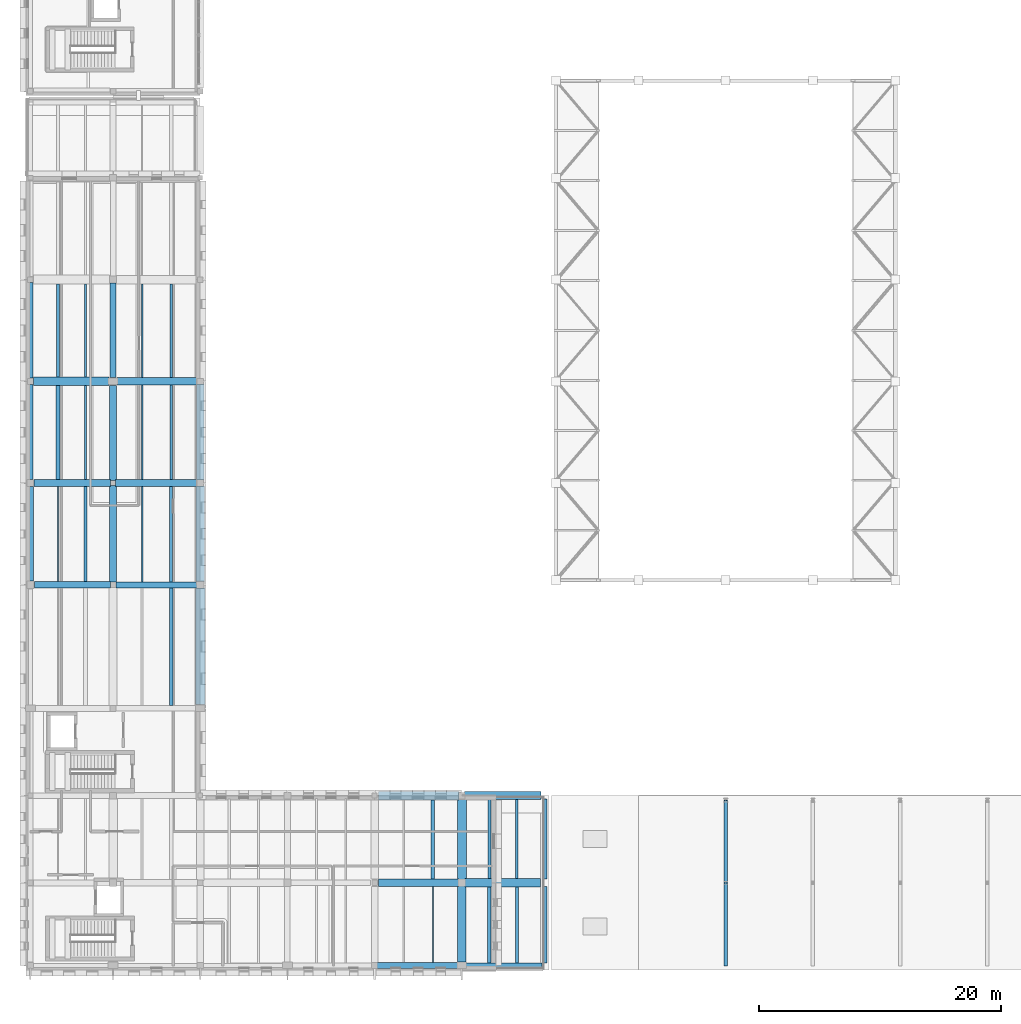
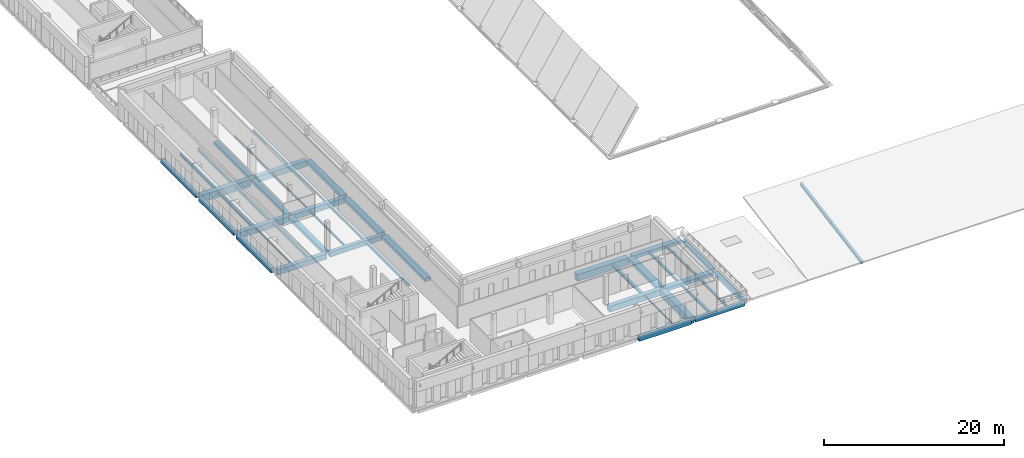
# One storey, part 9 of 56: 46 beams.
"""IFC4 building model written with IfcOpenShell, lengths in metres."""

from ifc_helpers import new_model, si_unit, direction, frame, origin, origin_2d, place, context, subcontext, project, spatial, rectangle, i_section, extrude, material, material_profile, profile_set, type_object, element, save


model = new_model("IFC4")

# Units and contexts
model_context = context("Model", 3, precision=1e-05, world=origin(), true_north=direction((0.0, 1.0)))
body_context = subcontext(model_context, "Body", "Model", "MODEL_VIEW")
ifc_project = project(units=[si_unit("LENGTHUNIT", "METRE"), si_unit("AREAUNIT", "SQUARE_METRE"), si_unit("VOLUMEUNIT", "CUBIC_METRE"), si_unit("PLANEANGLEUNIT", "RADIAN"), si_unit("MASSUNIT", "GRAM", prefix="KILO")], contexts=[model_context])

# Site, building, storey
site_placement = place(None, origin())
site = spatial("IfcSite", under=ifc_project, at=site_placement, CompositionType="ELEMENT")
building_placement = place(site_placement, origin())
building = spatial("IfcBuilding", under=site, at=building_placement, Name="Vardoun Plaza Health Centre", CompositionType="ELEMENT")
storey_placement = place(building_placement, frame((0.0, 0.0, 8.699951171875)))
storey = spatial("IfcBuildingStorey", under=building, at=storey_placement, Name="L02", CompositionType="ELEMENT", Elevation=8.699951171875)

# Beams
ifc_material_1 = material(Name="Concrete C35/45", Category="concrete")
ifc_material_profile_1 = material_profile(ifc_material_1, rectangle(XDim=0.39990234375, YDim=0.550048828125, at=origin_2d()), Name="RC-BM 400x550")
ifc_profile_set_1 = profile_set([ifc_material_profile_1], Name="Concrete C35/45")
beam_type_1 = type_object("IfcBeamType", Name="B-09", PredefinedType="SPANDREL", material=ifc_profile_set_1)
beam_1_placement = place(storey_placement, frame((40.775146484375, 4.8798828125, -0.554931640625), z_axis=(1.0, 0.0, 0.0), x_axis=(0.0, 1.0, 0.0)))
element("IfcBeam", 1, at=beam_1_placement, inside=storey, type_object=beam_type_1, Name="V2 L02 Beam B-V2-L02-X30", PredefinedType="SPANDREL", context=body_context, shape_type="SweptSolid", body=[
    extrude(rectangle(XDim=0.39990234375, YDim=0.550048828125, at=origin_2d()), origin(), (0.0, 0.0, 1.0), 6.344970703125),
])
beam_2_placement = place(storey_placement, frame((47.320068359375, 12.02490234375, -0.554931640625), z_axis=(0.0, 1.0, 0.0), x_axis=(-1.0, 0.0, 0.0)))
element("IfcBeam", 2, at=beam_2_placement, inside=storey, type_object=beam_type_1, Name="V2 L02 Beam B-V2-L02-Y65", PredefinedType="SPANDREL", context=body_context, shape_type="SweptSolid", body=[
    extrude(rectangle(XDim=0.39990234375, YDim=0.550048828125, at=origin_2d()), origin(), (0.0, 0.0, 1.0), 6.5751953125),
])
ifc_material_2 = material(Name="Concrete C35/45", Category="concrete")
ifc_material_profile_2 = material_profile(ifc_material_2, rectangle(XDim=0.419921875, YDim=0.580078125, at=origin_2d()), Name="RC-BM 420x580")
ifc_profile_set_2 = profile_set([ifc_material_profile_2], Name="Concrete C35/45")
beam_type_2 = type_object("IfcBeamType", Name="B-10", PredefinedType="SPANDREL", material=ifc_profile_set_2)
beam_3_placement = place(storey_placement, frame((4.8798828125, 53.375, -0.570068359375), z_axis=(0.0, 1.0, 0.0), x_axis=(-1.0, 0.0, 0.0)))
element("IfcBeam", 3, at=beam_3_placement, inside=storey, type_object=beam_type_2, Name="V2 L02 Beam B-V2-L02-Y39", PredefinedType="SPANDREL", context=body_context, shape_type="SweptSolid", body=[
    extrude(rectangle(XDim=0.419921875, YDim=0.580078125, at=origin_2d()), origin(), (0.0, 0.0, 1.0), 7.875),
])
beam_4_placement = place(storey_placement, frame((47.320068359375, 5.080078125, -0.570068359375), z_axis=(0.0, 1.0, 0.0), x_axis=(-1.0, 0.0, 0.0)))
element("IfcBeam", 4, at=beam_4_placement, inside=storey, type_object=beam_type_2, Name="V2 L02 Beam B-V2-L02-Y64", PredefinedType="SPANDREL", context=body_context, shape_type="SweptSolid", body=[
    extrude(rectangle(XDim=0.419921875, YDim=0.580078125, at=origin_2d()), origin(), (0.0, 0.0, 1.0), 6.294921875),
])
ifc_material_3 = material(Name="Concrete C35/45", Category="concrete")
ifc_material_profile_3 = material_profile(ifc_material_3, rectangle(XDim=0.449951171875, YDim=0.60009765625, at=origin_2d()), Name="RC-BM 450x600")
ifc_profile_set_3 = profile_set([ifc_material_profile_3], Name="Concrete C35/45")
beam_type_3 = type_object("IfcBeamType", Name="B-11", PredefinedType="SPANDREL", material=ifc_profile_set_3)
beam_5_placement = place(storey_placement, frame((4.8798828125, 45.0, -0.579833984375), z_axis=(0.0, 1.0, 0.0), x_axis=(-1.0, 0.0, 0.0)))
element("IfcBeam", 5, at=beam_5_placement, inside=storey, type_object=beam_type_3, Name="V2 L02 Beam B-V2-L02-Y38", PredefinedType="SPANDREL", context=body_context, shape_type="SweptSolid", body=[
    extrude(rectangle(XDim=0.449951171875, YDim=0.60009765625, at=origin_2d()), origin(), (0.0, 0.0, 1.0), 7.824951171875),
])
ifc_material_4 = material(Name="Concrete C35/45", Category="concrete")
ifc_material_profile_4 = material_profile(ifc_material_4, rectangle(XDim=0.47998046875, YDim=0.6201171875, at=origin_2d()), Name="RC-BM 480x620")
ifc_profile_set_4 = profile_set([ifc_material_profile_4], Name="Concrete C35/45")
beam_type_4 = type_object("IfcBeamType", Name="B-12", PredefinedType="SPANDREL", material=ifc_profile_set_4)
beam_6_placement = place(storey_placement, frame((33.5, 4.8798828125, -0.58984375), z_axis=(1.0, 0.0, 0.0), x_axis=(0.0, 1.0, 0.0)))
element("IfcBeam", 6, at=beam_6_placement, inside=storey, type_object=beam_type_4, Name="V2 L02 Beam B-V2-L02-X27", PredefinedType="SPANDREL", context=body_context, shape_type="SweptSolid", body=[
    extrude(rectangle(XDim=0.47998046875, YDim=0.6201171875, at=origin_2d()), origin(), (0.0, 0.0, 1.0), 6.72509765625),
])
beam_7_placement = place(storey_placement, frame((4.8798828125, 36.625, -0.58984375), z_axis=(0.0, 1.0, 0.0), x_axis=(-1.0, 0.0, 0.0)))
element("IfcBeam", 7, at=beam_7_placement, inside=storey, type_object=beam_type_4, Name="V2 L02 Beam B-V2-L02-Y37", PredefinedType="SPANDREL", context=body_context, shape_type="SweptSolid", body=[
    extrude(rectangle(XDim=0.47998046875, YDim=0.6201171875, at=origin_2d()), origin(), (0.0, 0.0, 1.0), 7.775146484375),
])
ifc_material_5 = material(Name="Concrete C35/45", Category="concrete")
ifc_material_profile_5 = material_profile(ifc_material_5, rectangle(XDim=0.5, YDim=0.39990234375, at=origin_2d()), Name="RC-BM 500x400")
ifc_profile_set_5 = profile_set([ifc_material_profile_5], Name="Concrete C35/45")
beam_type_5 = type_object("IfcBeamType", Name="B-02", PredefinedType="BEAM", material=ifc_profile_set_5)
beam_8_placement = place(storey_placement, frame((11.699951171875, 53.425048828125, -0.47998046875), z_axis=(0.0, 1.0, 0.0), x_axis=(-1.0, 0.0, 0.0)))
element("IfcBeam", 8, at=beam_8_placement, inside=storey, type_object=beam_type_5, Name="V2 L02 Beam B-V2-L02-Y46", PredefinedType="BEAM", context=body_context, shape_type="SweptSolid", body=[
    extrude(rectangle(XDim=0.5, YDim=0.39990234375, at=origin_2d()), origin(), (0.0, 0.0, 1.0), 7.77490234375),
])
ifc_material_6 = material(Name="Concrete C40/50", Category="concrete")
ifc_material_profile_6 = material_profile(ifc_material_6, rectangle(XDim=0.5, YDim=0.64990234375, at=origin_2d()), Name="RC-BM 500x650")
ifc_profile_set_6 = profile_set([ifc_material_profile_6], Name="Concrete C40/50")
beam_type_6 = type_object("IfcBeamType", Name="B-13", PredefinedType="BEAM", material=ifc_profile_set_6)
beam_9_placement = place(storey_placement, frame((11.925048828125, 36.300048828125, -0.60498046875), z_axis=(1.0, 0.0, 0.0), x_axis=(0.0, 1.0, 0.0)))
element("IfcBeam", 9, at=beam_9_placement, inside=storey, type_object=beam_type_6, Name="V2 L02 Beam B-V2-L02-X15", PredefinedType="BEAM", context=body_context, shape_type="SweptSolid", body=[
    extrude(rectangle(XDim=0.5, YDim=0.64990234375, at=origin_2d()), origin(), (0.0, 0.0, 1.0), 6.699951171875),
])
ifc_material_7 = material(Name="Concrete C35/45", Category="concrete")
ifc_material_profile_7 = material_profile(ifc_material_7, rectangle(XDim=0.550048828125, YDim=0.419921875, at=origin_2d()), Name="RC-BM 550x420")
ifc_profile_set_7 = profile_set([ifc_material_profile_7], Name="Concrete C35/45")
beam_type_7 = type_object("IfcBeamType", Name="B-03", PredefinedType="BEAM", material=ifc_profile_set_7)
beam_10_placement = place(storey_placement, frame((11.699951171875, 44.900146484375, -0.489990234375), z_axis=(0.0, 1.0, 0.0), x_axis=(-1.0, 0.0, 0.0)))
element("IfcBeam", 10, at=beam_10_placement, inside=storey, type_object=beam_type_7, Name="V2 L02 Beam B-V2-L02-Y45", PredefinedType="BEAM", context=body_context, shape_type="SweptSolid", body=[
    extrude(rectangle(XDim=0.550048828125, YDim=0.419921875, at=origin_2d()), origin(), (0.0, 0.0, 1.0), 7.875),
])
ifc_material_8 = material(Name="Concrete C40/50", Category="concrete")
ifc_material_profile_8 = material_profile(ifc_material_8, rectangle(XDim=0.550048828125, YDim=0.719970703125, at=origin_2d()), Name="RC-BM 550x720")
ifc_profile_set_8 = profile_set([ifc_material_profile_8], Name="Concrete C40/50")
beam_type_8 = type_object("IfcBeamType", Name="B-14", PredefinedType="BEAM", material=ifc_profile_set_8)
beam_11_placement = place(storey_placement, frame((5.205078125, 36.300048828125, -0.639892578125), z_axis=(1.0, 0.0, 0.0), x_axis=(0.0, 1.0, 0.0)))
element("IfcBeam", 11, at=beam_11_placement, inside=storey, type_object=beam_type_8, Name="V2 L02 Beam B-V2-L02-X05", PredefinedType="BEAM", context=body_context, shape_type="SweptSolid", body=[
    extrude(rectangle(XDim=0.550048828125, YDim=0.719970703125, at=origin_2d()), origin(), (0.0, 0.0, 1.0), 6.27001953125),
])
beam_12_placement = place(storey_placement, frame((11.89990234375, 44.699951171875, -0.639892578125), z_axis=(1.0, 0.0, 0.0), x_axis=(0.0, 1.0, 0.0)))
element("IfcBeam", 12, at=beam_12_placement, inside=storey, type_object=beam_type_8, Name="V2 L02 Beam B-V2-L02-X16", PredefinedType="BEAM", context=body_context, shape_type="SweptSolid", body=[
    extrude(rectangle(XDim=0.550048828125, YDim=0.719970703125, at=origin_2d()), origin(), (0.0, 0.0, 1.0), 6.75),
])
ifc_material_9 = material(Name="Concrete C35/45", Category="concrete")
ifc_material_profile_9 = material_profile(ifc_material_9, rectangle(XDim=0.60009765625, YDim=0.449951171875, at=origin_2d()), Name="RC-BM 600x450")
ifc_profile_set_9 = profile_set([ifc_material_profile_9], Name="Concrete C35/45")
beam_type_9 = type_object("IfcBeamType", Name="B-04", PredefinedType="BEAM", material=ifc_profile_set_9)
beam_13_placement = place(storey_placement, frame((11.699951171875, 36.525146484375, -0.5048828125), z_axis=(0.0, 1.0, 0.0), x_axis=(-1.0, 0.0, 0.0)))
element("IfcBeam", 13, at=beam_13_placement, inside=storey, type_object=beam_type_9, Name="V2 L02 Beam B-V2-L02-Y44", PredefinedType="BEAM", context=body_context, shape_type="SweptSolid", body=[
    extrude(rectangle(XDim=0.60009765625, YDim=0.449951171875, at=origin_2d()), origin(), (0.0, 0.0, 1.0), 7.974853515625),
])
ifc_material_10 = material(Name="Concrete C40/50", Category="concrete")
ifc_material_profile_10 = material_profile(ifc_material_10, rectangle(XDim=0.60009765625, YDim=0.800048828125, at=origin_2d()), Name="RC-BM 600x800")
ifc_profile_set_10 = profile_set([ifc_material_profile_10], Name="Concrete C40/50")
beam_type_10 = type_object("IfcBeamType", Name="B-15", PredefinedType="JOIST", material=ifc_profile_set_10)
beam_14_placement = place(storey_placement, frame((5.179931640625, 44.699951171875, -0.679931640625), z_axis=(1.0, 0.0, 0.0), x_axis=(0.0, 1.0, 0.0)))
element("IfcBeam", 14, at=beam_14_placement, inside=storey, type_object=beam_type_10, Name="V2 L02 Beam B-V2-L02-X06", PredefinedType="JOIST", context=body_context, shape_type="SweptSolid", body=[
    extrude(rectangle(XDim=0.60009765625, YDim=0.800048828125, at=origin_2d()), origin(), (0.0, 0.0, 1.0), 6.320068359375),
])
beam_15_placement = place(storey_placement, frame((12.02490234375, 53.10009765625, -0.679931640625), z_axis=(1.0, 0.0, 0.0), x_axis=(0.0, 1.0, 0.0)))
element("IfcBeam", 15, at=beam_15_placement, inside=storey, type_object=beam_type_10, Name="V2 L02 Beam B-V2-L02-X17", PredefinedType="JOIST", context=body_context, shape_type="SweptSolid", body=[
    extrude(rectangle(XDim=0.60009765625, YDim=0.800048828125, at=origin_2d()), origin(), (0.0, 0.0, 1.0), 6.650146484375),
])
beam_16_placement = place(storey_placement, frame((33.625, 11.699951171875, -0.679931640625), z_axis=(1.0, 0.0, 0.0), x_axis=(0.0, 1.0, 0.0)))
element("IfcBeam", 16, at=beam_16_placement, inside=storey, type_object=beam_type_10, Name="V2 L02 Beam B-V2-L02-X28", PredefinedType="JOIST", context=body_context, shape_type="SweptSolid", body=[
    extrude(rectangle(XDim=0.60009765625, YDim=0.800048828125, at=origin_2d()), origin(), (0.0, 0.0, 1.0), 6.625),
])
ifc_material_11 = material(Name="Concrete C35/45", Category="concrete")
ifc_material_profile_11 = material_profile(ifc_material_11, rectangle(XDim=0.64990234375, YDim=0.449951171875, at=origin_2d()), Name="RC-BM 650x450")
ifc_profile_set_11 = profile_set([ifc_material_profile_11], Name="Concrete C35/45")
beam_type_11 = type_object("IfcBeamType", Name="B-05", PredefinedType="BEAM", material=ifc_profile_set_11)
beam_17_placement = place(storey_placement, frame((40.72509765625, 18.89990234375, -0.5048828125), z_axis=(1.0, 0.0, 0.0), x_axis=(0.0, 1.0, 0.0)))
element("IfcBeam", 17, at=beam_17_placement, inside=storey, type_object=beam_type_11, Name="V2 L02 Beam B-V2-L02-X32", PredefinedType="BEAM", context=body_context, shape_type="SweptSolid", body=[
    extrude(rectangle(XDim=0.64990234375, YDim=0.449951171875, at=origin_2d()), origin(), (0.0, 0.0, 1.0), 6.294921875),
])
beam_18_placement = place(storey_placement, frame((18.89990234375, 44.949951171875, -0.5048828125), z_axis=(0.0, 1.0, 0.0), x_axis=(-1.0, 0.0, 0.0)))
element("IfcBeam", 18, at=beam_18_placement, inside=storey, type_object=beam_type_11, Name="V2 L02 Beam B-V2-L02-Y54", PredefinedType="BEAM", context=body_context, shape_type="SweptSolid", body=[
    extrude(rectangle(XDim=0.64990234375, YDim=0.449951171875, at=origin_2d()), origin(), (0.0, 0.0, 1.0), 7.925048828125),
])
ifc_material_12 = material(Name="Concrete C35/45", Category="concrete")
ifc_material_profile_12 = material_profile(ifc_material_12, rectangle(XDim=0.699951171875, YDim=0.449951171875, at=origin_2d()), Name="RC-BM 700x450")
ifc_profile_set_12 = profile_set([ifc_material_profile_12], Name="Concrete C35/45")
beam_type_12 = type_object("IfcBeamType", Name="B-06", PredefinedType="BEAM", material=ifc_profile_set_12)
beam_19_placement = place(storey_placement, frame((40.75, 11.699951171875, -0.5048828125), z_axis=(1.0, 0.0, 0.0), x_axis=(0.0, 1.0, 0.0)))
element("IfcBeam", 19, at=beam_19_placement, inside=storey, type_object=beam_type_12, Name="V2 L02 Beam B-V2-L02-X31", PredefinedType="BEAM", context=body_context, shape_type="SweptSolid", body=[
    extrude(rectangle(XDim=0.699951171875, YDim=0.449951171875, at=origin_2d()), origin(), (0.0, 0.0, 1.0), 6.2451171875),
])
beam_20_placement = place(storey_placement, frame((18.89990234375, 36.574951171875, -0.5048828125), z_axis=(0.0, 1.0, 0.0), x_axis=(-1.0, 0.0, 0.0)))
element("IfcBeam", 20, at=beam_20_placement, inside=storey, type_object=beam_type_12, Name="V2 L02 Beam B-V2-L02-Y53", PredefinedType="BEAM", context=body_context, shape_type="SweptSolid", body=[
    extrude(rectangle(XDim=0.699951171875, YDim=0.449951171875, at=origin_2d()), origin(), (0.0, 0.0, 1.0), 7.875),
])
ifc_material_13 = material(Name="Concrete C40/50", Category="concrete")
ifc_material_profile_13 = material_profile(ifc_material_13, rectangle(XDim=0.699951171875, YDim=0.949951171875, at=origin_2d()), Name="RC-BM 700x950")
ifc_profile_set_13 = profile_set([ifc_material_profile_13], Name="Concrete C40/50")
beam_type_13 = type_object("IfcBeamType", Name="B-16", PredefinedType="LINTEL", material=ifc_profile_set_13)
beam_21_placement = place(storey_placement, frame((5.155029296875, 53.10009765625, -0.7548828125), z_axis=(1.0, 0.0, 0.0), x_axis=(0.0, 1.0, 0.0)))
element("IfcBeam", 21, at=beam_21_placement, inside=storey, type_object=beam_type_13, Name="V2 L02 Beam B-V2-L02-X07", PredefinedType="LINTEL", context=body_context, shape_type="SweptSolid", body=[
    extrude(rectangle(XDim=0.699951171875, YDim=0.949951171875, at=origin_2d()), origin(), (0.0, 0.0, 1.0), 6.219970703125),
])
beam_22_placement = place(storey_placement, frame((33.60009765625, 18.89990234375, -0.7548828125), z_axis=(1.0, 0.0, 0.0), x_axis=(0.0, 1.0, 0.0)))
element("IfcBeam", 22, at=beam_22_placement, inside=storey, type_object=beam_type_13, Name="V2 L02 Beam B-V2-L02-X29", PredefinedType="LINTEL", context=body_context, shape_type="SweptSolid", body=[
    extrude(rectangle(XDim=0.699951171875, YDim=0.949951171875, at=origin_2d()), origin(), (0.0, 0.0, 1.0), 6.675048828125),
])
beam_23_placement = place(storey_placement, frame((40.5, 5.155029296875, -0.7548828125), z_axis=(0.0, 1.0, 0.0), x_axis=(-1.0, 0.0, 0.0)))
element("IfcBeam", 23, at=beam_23_placement, inside=storey, type_object=beam_type_13, Name="V2 L02 Beam B-V2-L02-Y62", PredefinedType="LINTEL", context=body_context, shape_type="SweptSolid", body=[
    extrude(rectangle(XDim=0.699951171875, YDim=0.949951171875, at=origin_2d()), origin(), (0.0, 0.0, 1.0), 6.294921875),
])
ifc_material_14 = material(Name="Concrete C35/45", Category="concrete")
ifc_material_profile_14 = material_profile(ifc_material_14, rectangle(XDim=0.75, YDim=0.47998046875, at=origin_2d()), Name="RC-BM 750x480")
ifc_profile_set_14 = profile_set([ifc_material_profile_14], Name="Concrete C35/45")
beam_type_14 = type_object("IfcBeamType", Name="B-07", PredefinedType="BEAM", material=ifc_profile_set_14)
beam_24_placement = place(storey_placement, frame((18.89990234375, 26.39990234375, -0.52001953125), z_axis=(0.0, 1.0, 0.0), x_axis=(-1.0, 0.0, 0.0)))
element("IfcBeam", 24, at=beam_24_placement, inside=storey, type_object=beam_type_14, Name="V2 L02 Beam B-V2-L02-Y52", PredefinedType="BEAM", context=body_context, shape_type="SweptSolid", body=[
    extrude(rectangle(XDim=0.75, YDim=0.47998046875, at=origin_2d()), origin(), (0.0, 0.0, 1.0), 9.625244140625),
])
beam_25_placement = place(storey_placement, frame((40.5, 11.949951171875, -0.52001953125), z_axis=(0.0, 1.0, 0.0), x_axis=(-1.0, 0.0, 0.0)))
element("IfcBeam", 25, at=beam_25_placement, inside=storey, type_object=beam_type_14, Name="V2 L02 Beam B-V2-L02-Y63", PredefinedType="BEAM", context=body_context, shape_type="SweptSolid", body=[
    extrude(rectangle(XDim=0.75, YDim=0.47998046875, at=origin_2d()), origin(), (0.0, 0.0, 1.0), 6.72509765625),
])
ifc_material_15 = material(Name="Steel S355J2", Category="steel")
ifc_material_profile_15 = material_profile(ifc_material_15, i_section(OverallWidth=0.199951171875, OverallDepth=0.18994140625, WebThickness=0.006591796875, FlangeThickness=0.010009765625, FilletRadius=0.01806640625, at=origin_2d()), Name="HEA 200")
ifc_profile_set_15 = profile_set([ifc_material_profile_15], Name="Steel S355J2")
beam_type_15 = type_object("IfcBeamType", Name="SB-09", PredefinedType="BEAM", material=ifc_profile_set_15)
beam_26_placement = place(storey_placement, frame((16.500244140625, 53.400146484375, -0.375), z_axis=(0.0, 1.0, 0.0), x_axis=(-1.0, 0.0, 0.0)))
element("IfcBeam", 26, at=beam_26_placement, inside=storey, type_object=beam_type_15, Name="V2 L02 Secondary Floor Beam SJ-V2-L02-26", PredefinedType="BEAM", context=body_context, shape_type="SweptSolid", body=[
    extrude(i_section(OverallWidth=0.199951171875, OverallDepth=0.18994140625, WebThickness=0.006591796875, FlangeThickness=0.010009765625, FilletRadius=0.01806640625, at=origin_2d()), origin(), (0.0, 0.0, 1.0), 7.75),
])
beam_27_placement = place(storey_placement, frame((45.046875, 12.050048828125, -0.375), z_axis=(0.0, 1.0, 0.0), x_axis=(-1.0, 0.0, 0.0)))
element("IfcBeam", 27, at=beam_27_placement, inside=storey, type_object=beam_type_15, Name="V2 L02 Secondary Floor Beam SJ-V2-L02-44", PredefinedType="BEAM", context=body_context, shape_type="SweptSolid", body=[
    extrude(i_section(OverallWidth=0.199951171875, OverallDepth=0.18994140625, WebThickness=0.006591796875, FlangeThickness=0.010009765625, FilletRadius=0.01806640625, at=origin_2d()), origin(), (0.0, 0.0, 1.0), 6.52490234375),
])
ifc_material_16 = material(Name="Steel S355J2", Category="steel")
ifc_material_profile_16 = material_profile(ifc_material_16, i_section(OverallWidth=0.219970703125, OverallDepth=0.2099609375, WebThickness=0.007080078125, FlangeThickness=0.010986328125, FilletRadius=0.01806640625, at=origin_2d()), Name="HEA 220")
ifc_profile_set_16 = profile_set([ifc_material_profile_16], Name="Steel S355J2")
beam_type_16 = type_object("IfcBeamType", Name="SB-08", PredefinedType="BEAM", material=ifc_profile_set_16)
beam_28_placement = place(storey_placement, frame((16.500244140625, 44.97509765625, -0.385009765625), z_axis=(0.0, 1.0, 0.0), x_axis=(-1.0, 0.0, 0.0)))
element("IfcBeam", 28, at=beam_28_placement, inside=storey, type_object=beam_type_16, Name="V2 L02 Secondary Floor Beam SJ-V2-L02-25", PredefinedType="BEAM", context=body_context, shape_type="SweptSolid", body=[
    extrude(i_section(OverallWidth=0.219970703125, OverallDepth=0.2099609375, WebThickness=0.007080078125, FlangeThickness=0.010986328125, FilletRadius=0.01806640625, at=origin_2d()), origin(), (0.0, 0.0, 1.0), 7.824951171875),
])
beam_29_placement = place(storey_placement, frame((45.046875, 5.080078125, -0.385009765625), z_axis=(0.0, 1.0, 0.0), x_axis=(-1.0, 0.0, 0.0)))
element("IfcBeam", 29, at=beam_29_placement, inside=storey, type_object=beam_type_16, Name="V2 L02 Secondary Floor Beam SJ-V2-L02-43", PredefinedType="BEAM", context=body_context, shape_type="SweptSolid", body=[
    extrude(i_section(OverallWidth=0.219970703125, OverallDepth=0.2099609375, WebThickness=0.007080078125, FlangeThickness=0.010986328125, FilletRadius=0.01806640625, at=origin_2d()), origin(), (0.0, 0.0, 1.0), 6.27001953125),
])
ifc_material_17 = material(Name="Steel S355J2", Category="steel")
ifc_material_profile_17 = material_profile(ifc_material_17, i_section(OverallWidth=0.239990234375, OverallDepth=0.22998046875, WebThickness=0.007568359375, FlangeThickness=0.011962890625, FilletRadius=0.02099609375, at=origin_2d()), Name="HEA 240")
ifc_profile_set_17 = profile_set([ifc_material_profile_17], Name="Steel S355J2")
beam_type_17 = type_object("IfcBeamType", Name="SB-07", PredefinedType="BEAM", material=ifc_profile_set_17)
beam_30_placement = place(storey_placement, frame((16.500244140625, 36.550048828125, -0.39501953125), z_axis=(0.0, 1.0, 0.0), x_axis=(-1.0, 0.0, 0.0)))
element("IfcBeam", 30, at=beam_30_placement, inside=storey, type_object=beam_type_17, Name="V2 L02 Secondary Floor Beam SJ-V2-L02-24", PredefinedType="BEAM", context=body_context, shape_type="SweptSolid", body=[
    extrude(i_section(OverallWidth=0.239990234375, OverallDepth=0.22998046875, WebThickness=0.007568359375, FlangeThickness=0.011962890625, FilletRadius=0.02099609375, at=origin_2d()), origin(), (0.0, 0.0, 1.0), 7.875),
])
beam_31_placement = place(storey_placement, frame((42.773193359375, 12.050048828125, -0.39501953125), z_axis=(0.0, 1.0, 0.0), x_axis=(-1.0, 0.0, 0.0)))
element("IfcBeam", 31, at=beam_31_placement, inside=storey, type_object=beam_type_17, Name="V2 L02 Secondary Floor Beam SJ-V2-L02-42", PredefinedType="BEAM", context=body_context, shape_type="SweptSolid", body=[
    extrude(i_section(OverallWidth=0.239990234375, OverallDepth=0.22998046875, WebThickness=0.007568359375, FlangeThickness=0.011962890625, FilletRadius=0.02099609375, at=origin_2d()), origin(), (0.0, 0.0, 1.0), 6.52490234375),
])
ifc_material_18 = material(Name="Steel S355J2", Category="steel")
ifc_material_profile_18 = material_profile(ifc_material_18, i_section(OverallWidth=0.280029296875, OverallDepth=0.27001953125, WebThickness=0.008056640625, FlangeThickness=0.012939453125, FilletRadius=0.02392578125, at=origin_2d()), Name="HEA 280")
ifc_profile_set_18 = profile_set([ifc_material_profile_18], Name="Steel S355J2")
beam_type_18 = type_object("IfcBeamType", Name="SB-06", PredefinedType="BEAM", material=ifc_profile_set_18)
beam_32_placement = place(storey_placement, frame((7.153076171875, 53.449951171875, -0.4150390625), z_axis=(0.0, 1.0, 0.0), x_axis=(-1.0, 0.0, 0.0)))
element("IfcBeam", 32, at=beam_32_placement, inside=storey, type_object=beam_type_18, Name="V2 L02 Secondary Floor Beam SJ-V2-L02-05", PredefinedType="BEAM", context=body_context, shape_type="SweptSolid", body=[
    extrude(i_section(OverallWidth=0.280029296875, OverallDepth=0.27001953125, WebThickness=0.008056640625, FlangeThickness=0.012939453125, FilletRadius=0.02392578125, at=origin_2d()), origin(), (0.0, 0.0, 1.0), 7.675048828125),
])
beam_33_placement = place(storey_placement, frame((16.500244140625, 26.324951171875, -0.4150390625), z_axis=(0.0, 1.0, 0.0), x_axis=(-1.0, 0.0, 0.0)))
element("IfcBeam", 33, at=beam_33_placement, inside=storey, type_object=beam_type_18, Name="V2 L02 Secondary Floor Beam SJ-V2-L02-23", PredefinedType="BEAM", context=body_context, shape_type="SweptSolid", body=[
    extrude(i_section(OverallWidth=0.280029296875, OverallDepth=0.27001953125, WebThickness=0.008056640625, FlangeThickness=0.012939453125, FilletRadius=0.02392578125, at=origin_2d()), origin(), (0.0, 0.0, 1.0), 9.72509765625),
])
beam_34_placement = place(storey_placement, frame((42.773193359375, 5.080078125, -0.4150390625), z_axis=(0.0, 1.0, 0.0), x_axis=(-1.0, 0.0, 0.0)))
element("IfcBeam", 34, at=beam_34_placement, inside=storey, type_object=beam_type_18, Name="V2 L02 Secondary Floor Beam SJ-V2-L02-41", PredefinedType="BEAM", context=body_context, shape_type="SweptSolid", body=[
    extrude(i_section(OverallWidth=0.280029296875, OverallDepth=0.27001953125, WebThickness=0.008056640625, FlangeThickness=0.012939453125, FilletRadius=0.02392578125, at=origin_2d()), origin(), (0.0, 0.0, 1.0), 6.27001953125),
])
ifc_material_19 = material(Name="Steel S355J2", Category="steel")
ifc_material_profile_19 = material_profile(ifc_material_19, i_section(OverallWidth=0.300048828125, OverallDepth=0.330078125, WebThickness=0.009521484375, FlangeThickness=0.0166015625, FilletRadius=0.027099609375, at=origin_2d()), Name="HEA 340")
ifc_profile_set_19 = profile_set([ifc_material_profile_19], Name="Steel S355J2")
beam_type_19 = type_object("IfcBeamType", Name="SB-04", PredefinedType="BEAM", material=ifc_profile_set_19)
beam_35_placement = place(storey_placement, frame((7.153076171875, 45.0, -0.445068359375), z_axis=(0.0, 1.0, 0.0), x_axis=(-1.0, 0.0, 0.0)))
element("IfcBeam", 35, at=beam_35_placement, inside=storey, type_object=beam_type_19, Name="V2 L02 Secondary Floor Beam SJ-V2-L02-04", PredefinedType="BEAM", context=body_context, shape_type="SweptSolid", body=[
    extrude(i_section(OverallWidth=0.300048828125, OverallDepth=0.330078125, WebThickness=0.009521484375, FlangeThickness=0.0166015625, FilletRadius=0.027099609375, at=origin_2d()), origin(), (0.0, 0.0, 1.0), 7.75),
])
beam_36_placement = place(storey_placement, frame((38.10009765625, 12.0, -0.445068359375), z_axis=(0.0, 1.0, 0.0), x_axis=(-1.0, 0.0, 0.0)))
element("IfcBeam", 36, at=beam_36_placement, inside=storey, type_object=beam_type_19, Name="V2 L02 Secondary Floor Beam SJ-V2-L02-40", PredefinedType="BEAM", context=body_context, shape_type="SweptSolid", body=[
    extrude(i_section(OverallWidth=0.300048828125, OverallDepth=0.330078125, WebThickness=0.009521484375, FlangeThickness=0.0166015625, FilletRadius=0.027099609375, at=origin_2d()), origin(), (0.0, 0.0, 1.0), 6.550048828125),
])
ifc_material_20 = material(Name="Steel S355J2", Category="steel")
ifc_material_profile_20 = material_profile(ifc_material_20, i_section(OverallWidth=0.300048828125, OverallDepth=0.35009765625, WebThickness=0.010009765625, FlangeThickness=0.017578125, FilletRadius=0.027099609375, at=origin_2d()), Name="HEA 360")
ifc_profile_set_20 = profile_set([ifc_material_profile_20], Name="Steel S355J2")
beam_type_20 = type_object("IfcBeamType", Name="SB-03", PredefinedType="BEAM", material=ifc_profile_set_20)
for number, where, z_axis, x_axis, name in (
    (37, (62.280029296875, 4.8798828125, -0.351318359375), (0.0, 0.984086748903, 0.177688690226), (-1.0, 0.0, 0.0), "V4 Clerestory Rafter South 1"),
    (38, (62.280029296875, 11.699951171875, 0.880126953125), (0.0, 0.98409290831, 0.177654574427), (-1.0, 0.0, 0.0), "V4 Clerestory Rafter North 1"),
):
    element("IfcBeam", number, at=place(storey_placement, frame(where, z_axis=z_axis, x_axis=x_axis)), inside=storey, type_object=beam_type_20, Name=name, PredefinedType="BEAM", context=body_context, shape_type="SweptSolid", body=[
        extrude(i_section(OverallWidth=0.300048828125, OverallDepth=0.35009765625, WebThickness=0.010009765625, FlangeThickness=0.017578125, FilletRadius=0.027099609375, at=origin_2d()), origin(), (0.0, 0.0, 1.0), 6.930419921875),
    ])
ifc_material_21 = material(Name="Steel S355J2", Category="steel")
ifc_material_profile_21 = material_profile(ifc_material_21, i_section(OverallWidth=0.280029296875, OverallDepth=0.280029296875, WebThickness=0.010498046875, FlangeThickness=0.01806640625, FilletRadius=0.02392578125, at=origin_2d()), Name="HEB 280")
ifc_profile_set_21 = profile_set([ifc_material_profile_21], Name="Steel S355J2")
beam_type_21 = type_object("IfcBeamType", Name="SB-02", PredefinedType="BEAM", material=ifc_profile_set_21)
beam_37_placement = place(storey_placement, frame((9.427001953125, 36.574951171875, -0.419921875), z_axis=(0.0, 1.0, 0.0), x_axis=(-1.0, 0.0, 0.0)))
element("IfcBeam", 39, at=beam_37_placement, inside=storey, type_object=beam_type_21, Name="V2 L02 Secondary Floor Beam SJ-V2-L02-10", PredefinedType="BEAM", context=body_context, shape_type="SweptSolid", body=[
    extrude(i_section(OverallWidth=0.280029296875, OverallDepth=0.280029296875, WebThickness=0.010498046875, FlangeThickness=0.01806640625, FilletRadius=0.02392578125, at=origin_2d()), origin(), (0.0, 0.0, 1.0), 7.8251953125),
])
ifc_material_22 = material(Name="Steel S355J2", Category="steel")
ifc_material_profile_22 = material_profile(ifc_material_22, i_section(OverallWidth=0.091064453125, OverallDepth=0.179931640625, WebThickness=0.00537109375, FlangeThickness=0.008056640625, FilletRadius=0.009033203125, at=origin_2d()), Name="IPE 180")
ifc_profile_set_22 = profile_set([ifc_material_profile_22], Name="Steel S355J2")
beam_type_22 = type_object("IfcBeamType", Name="SB-20", PredefinedType="SPANDREL", material=ifc_profile_set_22)
beam_38_placement = place(storey_placement, frame((7.153076171875, 36.574951171875, -0.369873046875), z_axis=(0.0, 1.0, 0.0), x_axis=(-1.0, 0.0, 0.0)))
element("IfcBeam", 40, at=beam_38_placement, inside=storey, type_object=beam_type_22, Name="V2 L02 Secondary Floor Beam SJ-V2-L02-03", PredefinedType="SPANDREL", context=body_context, shape_type="SweptSolid", body=[
    extrude(i_section(OverallWidth=0.091064453125, OverallDepth=0.179931640625, WebThickness=0.00537109375, FlangeThickness=0.008056640625, FilletRadius=0.009033203125, at=origin_2d()), origin(), (0.0, 0.0, 1.0), 7.8251953125),
])
beam_39_placement = place(storey_placement, frame((38.10009765625, 5.1201171875, -0.369873046875), z_axis=(0.0, 1.0, 0.0), x_axis=(-1.0, 0.0, 0.0)))
element("IfcBeam", 41, at=beam_39_placement, inside=storey, type_object=beam_type_22, Name="V2 L02 Secondary Floor Beam SJ-V2-L02-39", PredefinedType="SPANDREL", context=body_context, shape_type="SweptSolid", body=[
    extrude(i_section(OverallWidth=0.091064453125, OverallDepth=0.179931640625, WebThickness=0.00537109375, FlangeThickness=0.008056640625, FilletRadius=0.009033203125, at=origin_2d()), origin(), (0.0, 0.0, 1.0), 6.27978515625),
])
ifc_material_23 = material(Name="Steel S355J2", Category="steel")
ifc_material_profile_23 = material_profile(ifc_material_23, i_section(OverallWidth=0.110107421875, OverallDepth=0.219970703125, WebThickness=0.005859375, FlangeThickness=0.00927734375, FilletRadius=0.011962890625, at=origin_2d()), Name="IPE 220")
ifc_profile_set_23 = profile_set([ifc_material_profile_23], Name="Steel S355J2")
beam_type_23 = type_object("IfcBeamType", Name="SB-18", PredefinedType="JOIST", material=ifc_profile_set_23)
beam_40_placement = place(storey_placement, frame((14.099853515625, 53.400146484375, -0.389892578125), z_axis=(0.0, 1.0, 0.0), x_axis=(-1.0, 0.0, 0.0)))
element("IfcBeam", 42, at=beam_40_placement, inside=storey, type_object=beam_type_23, Name="V2 L02 Secondary Floor Beam SJ-V2-L02-19", PredefinedType="JOIST", context=body_context, shape_type="SweptSolid", body=[
    extrude(i_section(OverallWidth=0.110107421875, OverallDepth=0.219970703125, WebThickness=0.005859375, FlangeThickness=0.00927734375, FilletRadius=0.011962890625, at=origin_2d()), origin(), (0.0, 0.0, 1.0), 7.75),
])
ifc_material_24 = material(Name="Steel S355J2", Category="steel")
ifc_material_profile_24 = material_profile(ifc_material_24, i_section(OverallWidth=0.1201171875, OverallDepth=0.239990234375, WebThickness=0.006103515625, FlangeThickness=0.009765625, FilletRadius=0.014892578125, at=origin_2d()), Name="IPE 240")
ifc_profile_set_24 = profile_set([ifc_material_profile_24], Name="Steel S355J2")
beam_type_24 = type_object("IfcBeamType", Name="SB-17", PredefinedType="JOIST", material=ifc_profile_set_24)
beam_41_placement = place(storey_placement, frame((14.099853515625, 44.97509765625, -0.39990234375), z_axis=(0.0, 1.0, 0.0), x_axis=(-1.0, 0.0, 0.0)))
element("IfcBeam", 43, at=beam_41_placement, inside=storey, type_object=beam_type_24, Name="V2 L02 Secondary Floor Beam SJ-V2-L02-18", PredefinedType="JOIST", context=body_context, shape_type="SweptSolid", body=[
    extrude(i_section(OverallWidth=0.1201171875, OverallDepth=0.239990234375, WebThickness=0.006103515625, FlangeThickness=0.009765625, FilletRadius=0.014892578125, at=origin_2d()), origin(), (0.0, 0.0, 1.0), 7.824951171875),
])
ifc_material_25 = material(Name="Steel S355J2", Category="steel")
ifc_material_profile_25 = material_profile(ifc_material_25, i_section(OverallWidth=0.135009765625, OverallDepth=0.27001953125, WebThickness=0.006591796875, FlangeThickness=0.01025390625, FilletRadius=0.014892578125, at=origin_2d()), Name="IPE 270")
ifc_profile_set_25 = profile_set([ifc_material_profile_25], Name="Steel S355J2")
beam_type_25 = type_object("IfcBeamType", Name="SB-16", PredefinedType="JOIST", material=ifc_profile_set_25)
beam_42_placement = place(storey_placement, frame((14.099853515625, 36.550048828125, -0.4150390625), z_axis=(0.0, 1.0, 0.0), x_axis=(-1.0, 0.0, 0.0)))
element("IfcBeam", 44, at=beam_42_placement, inside=storey, type_object=beam_type_25, Name="V2 L02 Secondary Floor Beam SJ-V2-L02-17", PredefinedType="JOIST", context=body_context, shape_type="SweptSolid", body=[
    extrude(i_section(OverallWidth=0.135009765625, OverallDepth=0.27001953125, WebThickness=0.006591796875, FlangeThickness=0.01025390625, FilletRadius=0.014892578125, at=origin_2d()), origin(), (0.0, 0.0, 1.0), 7.875),
])
ifc_material_26 = material(Name="Steel S355J2", Category="steel")
ifc_material_profile_26 = material_profile(ifc_material_26, i_section(OverallWidth=0.18994140625, OverallDepth=0.449951171875, WebThickness=0.009521484375, FlangeThickness=0.0146484375, FilletRadius=0.02099609375, at=origin_2d()), Name="IPE 450")
ifc_profile_set_26 = profile_set([ifc_material_profile_26], Name="Steel S355J2")
beam_type_26 = type_object("IfcBeamType", Name="SB-11", PredefinedType="BEAM", material=ifc_profile_set_26)
beam_43_placement = place(storey_placement, frame((9.427001953125, 53.449951171875, -0.5048828125), z_axis=(0.0, 1.0, 0.0), x_axis=(-1.0, 0.0, 0.0)))
element("IfcBeam", 45, at=beam_43_placement, inside=storey, type_object=beam_type_26, Name="V2 L02 Secondary Floor Beam SJ-V2-L02-12", PredefinedType="BEAM", context=body_context, shape_type="SweptSolid", body=[
    extrude(i_section(OverallWidth=0.18994140625, OverallDepth=0.449951171875, WebThickness=0.009521484375, FlangeThickness=0.0146484375, FilletRadius=0.02099609375, at=origin_2d()), origin(), (0.0, 0.0, 1.0), 7.675048828125),
])
ifc_material_27 = material(Name="Steel S355J2", Category="steel")
ifc_material_profile_27 = material_profile(ifc_material_27, i_section(OverallWidth=0.199951171875, OverallDepth=0.5, WebThickness=0.01025390625, FlangeThickness=0.01611328125, FilletRadius=0.02099609375, at=origin_2d()), Name="IPE 500")
ifc_profile_set_27 = profile_set([ifc_material_profile_27], Name="Steel S355J2")
beam_type_27 = type_object("IfcBeamType", Name="SB-10", PredefinedType="BEAM", material=ifc_profile_set_27)
beam_44_placement = place(storey_placement, frame((9.427001953125, 45.0, -0.530029296875), z_axis=(0.0, 1.0, 0.0), x_axis=(-1.0, 0.0, 0.0)))
element("IfcBeam", 46, at=beam_44_placement, inside=storey, type_object=beam_type_27, Name="V2 L02 Secondary Floor Beam SJ-V2-L02-11", PredefinedType="BEAM", context=body_context, shape_type="SweptSolid", body=[
    extrude(i_section(OverallWidth=0.199951171875, OverallDepth=0.5, WebThickness=0.01025390625, FlangeThickness=0.01611328125, FilletRadius=0.02099609375, at=origin_2d()), origin(), (0.0, 0.0, 1.0), 7.75),
])

save(model, "model.ifc")
